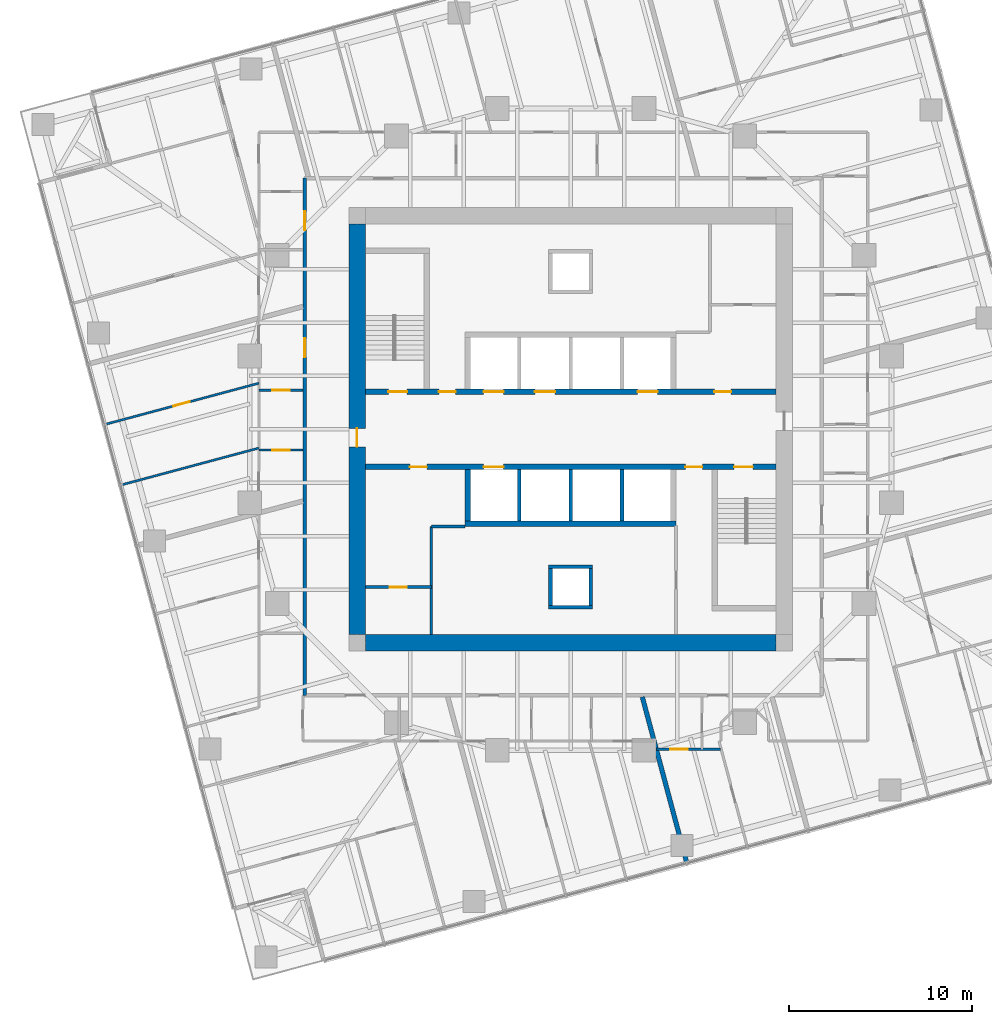
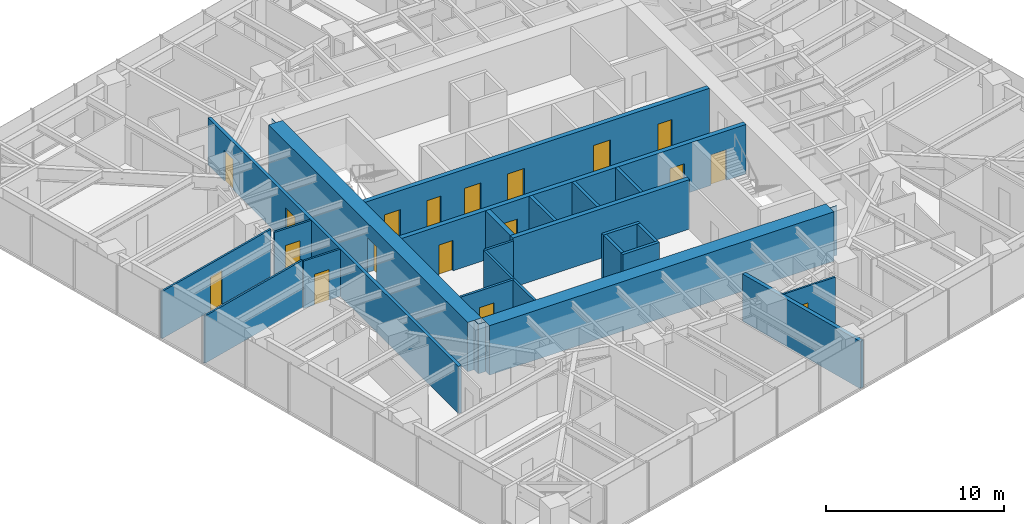
# One storey, part 9 of 14: 23 walls, 18 doors, 18 openings.
"""IFC4 building model written with IfcOpenShell, lengths in metres."""

from ifc_helpers import new_model, si_unit, direction, frame, frame_2d, origin, place, context, subcontext, project, spatial, polyline, rectangle, outline, extrude, material, layer, layer_set, type_object, element, fill, save


model = new_model("IFC4")

# Units and contexts
model_context = context("Model", 3, precision=1e-05, world=origin(), true_north=direction((0.0, 1.0)))
body_context = subcontext(model_context, "Body", "Model", "MODEL_VIEW")
ifc_project = project(units=[si_unit("LENGTHUNIT", "METRE"), si_unit("AREAUNIT", "SQUARE_METRE"), si_unit("VOLUMEUNIT", "CUBIC_METRE"), si_unit("PLANEANGLEUNIT", "RADIAN"), si_unit("MASSUNIT", "GRAM", prefix="KILO")], contexts=[model_context])

# Site, building, storey
site_placement = place(None, origin())
site = spatial("IfcSite", under=ifc_project, at=site_placement, CompositionType="ELEMENT")
building_placement = place(site_placement, origin())
building = spatial("IfcBuilding", under=site, at=building_placement, Name="Torsade Residences", CompositionType="ELEMENT")
storey_placement = place(building_placement, frame((0.0, 0.0, 128.60009765625)))
storey = spatial("IfcBuildingStorey", under=building, at=storey_placement, Name="L35", CompositionType="ELEMENT", Elevation=128.60009765625)

# Wall, openings, doors
ifc_material_1 = material(Name="Concrete 80 MPa", Category="concrete")
ifc_layer_1 = layer(ifc_material_1, 0.300048828125)
ifc_layer_set_1 = layer_set([ifc_layer_1], Name="Concrete 80 MPa")
wall_type_1 = type_object("IfcWallType", Name="CORE INTERNAL WALL 300", PredefinedType="SHEAR", material=ifc_layer_set_1)
wall_1_placement = place(storey_placement, frame((28.800048828125, 32.050048828125, 0.0), z_axis=(0.0, 0.0, 1.0), x_axis=(1.0, 0.0, 0.0)))
wall_1 = element("IfcWall", 1, at=wall_1_placement, inside=storey, type_object=wall_type_1, Name="Core wall LN L35", PredefinedType="SHEAR", context=body_context, shape_type="SweptSolid", body=[
    extrude(rectangle(XDim=22.39990234375, YDim=0.300048828125, at=frame_2d((11.199951171875, 0.0))), origin(), (0.0, 0.0, 1.0), 3.39990234375),
])
opening_1_placement = place(wall_1_placement, frame((19.0400390625, 0.0, 0.0)))
opening_1 = element("IfcOpeningElement", 2, at=opening_1_placement, cuts=wall_1, Name="Opening D06", PredefinedType="OPENING", context=body_context, shape_type="SweptSolid", body=[
    extrude(rectangle(XDim=0.919921875, YDim=2.10009765625, at=frame_2d((0.4599609375, 1.050048828125))), frame((0.0, 0.159912109375, 0.0), z_axis=(0.0, -1.0, 0.0), x_axis=(1.0, 0.0, 0.0)), (0.0, 0.0, 1.0), 0.320068359375),
])
opening_2_placement = place(wall_1_placement, frame((1.264892578125, 0.0, 0.0)))
opening_2 = element("IfcOpeningElement", 3, at=opening_2_placement, cuts=wall_1, Name="Opening D03", PredefinedType="OPENING", context=body_context, shape_type="SweptSolid", body=[
    extrude(rectangle(XDim=1.02001953125, YDim=2.10009765625, at=frame_2d((0.510009765625, 1.050048828125))), frame((0.0, 0.159912109375, 0.0), z_axis=(0.0, -1.0, 0.0), x_axis=(1.0, 0.0, 0.0)), (0.0, 0.0, 1.0), 0.320068359375),
])
opening_3_placement = place(wall_1_placement, frame((4.014892578125, 0.0, 0.0)))
opening_3 = element("IfcOpeningElement", 4, at=opening_3_placement, cuts=wall_1, Name="Opening D06", PredefinedType="OPENING", context=body_context, shape_type="SweptSolid", body=[
    extrude(rectangle(XDim=0.919921875, YDim=2.10009765625, at=frame_2d((0.4599609375, 1.050048828125))), frame((0.0, 0.159912109375, 0.0), z_axis=(0.0, -1.0, 0.0), x_axis=(1.0, 0.0, 0.0)), (0.0, 0.0, 1.0), 0.320068359375),
])
opening_4_placement = place(wall_1_placement, frame((6.449951171875, 0.0, 0.0)))
opening_4 = element("IfcOpeningElement", 5, at=opening_4_placement, cuts=wall_1, Name="Opening LD", PredefinedType="OPENING", context=body_context, shape_type="SweptSolid", body=[
    extrude(rectangle(XDim=1.10009765625, YDim=2.10009765625, at=frame_2d((0.550048828125, 1.050048828125))), frame((0.0, 0.159912109375, 0.0), z_axis=(0.0, -1.0, 0.0), x_axis=(1.0, 0.0, 0.0)), (0.0, 0.0, 1.0), 0.320068359375),
])
opening_5_placement = place(wall_1_placement, frame((9.25, 0.0, 0.0)))
opening_5 = element("IfcOpeningElement", 6, at=opening_5_placement, cuts=wall_1, Name="Opening LD", PredefinedType="OPENING", context=body_context, shape_type="SweptSolid", body=[
    extrude(rectangle(XDim=1.10009765625, YDim=2.10009765625, at=frame_2d((0.550048828125, 1.050048828125))), frame((0.0, 0.159912109375, 0.0), z_axis=(0.0, -1.0, 0.0), x_axis=(1.0, 0.0, 0.0)), (0.0, 0.0, 1.0), 0.320068359375),
])
opening_6_placement = place(wall_1_placement, frame((14.85009765625, 0.0, 0.0)))
opening_6 = element("IfcOpeningElement", 7, at=opening_6_placement, cuts=wall_1, Name="Opening LD", PredefinedType="OPENING", context=body_context, shape_type="SweptSolid", body=[
    extrude(rectangle(XDim=1.10009765625, YDim=2.10009765625, at=frame_2d((0.550048828125, 1.050048828125))), frame((0.0, 0.159912109375, 0.0), z_axis=(0.0, -1.0, 0.0), x_axis=(1.0, 0.0, 0.0)), (0.0, 0.0, 1.0), 0.320068359375),
])
ifc_material_2 = material(Name="Steel-framed fire door", Category="steel")
door_type_1 = type_object("IfcDoorType", Name="FIRE DOOR 1020", OperationType="NOTDEFINED", PredefinedType="DOOR", material=ifc_material_2)
door_1_placement = place(opening_2_placement, origin())
door_1 = element("IfcDoor", 8, at=door_1_placement, inside=storey, type_object=door_type_1, Name="Exit door to fire-isolated stair ST1 L35", OperationType="SINGLE_SWING_RIGHT", OverallHeight=2.10009765625, OverallWidth=1.02001953125, PredefinedType="DOOR", context=body_context, shape_type="SweptSolid", body=[
    extrude(rectangle(XDim=1.02001953125, YDim=2.10009765625, at=frame_2d((0.510009765625, 1.050048828125))), frame((0.0, 0.02490234375, 0.0), z_axis=(0.0, -1.0, 0.0), x_axis=(1.0, 0.0, 0.0)), (0.0, 0.0, 1.0), 0.050048828125),
])
fill(opening_2, door_1)
ifc_material_3 = material(Name="Steel-framed fire door", Category="steel")
door_type_2 = type_object("IfcDoorType", Name="FIRE DOOR 920", OperationType="NOTDEFINED", PredefinedType="DOOR", material=ifc_material_3)
door_2_placement = place(opening_1_placement, origin())
door_2 = element("IfcDoor", 9, at=door_2_placement, inside=storey, type_object=door_type_2, Name="Door Lift lobby to Refuse room", OperationType="SINGLE_SWING_LEFT", OverallHeight=2.10009765625, OverallWidth=0.919921875, PredefinedType="DOOR", context=body_context, shape_type="SweptSolid", body=[
    extrude(rectangle(XDim=0.919921875, YDim=2.10009765625, at=frame_2d((0.4599609375, 1.050048828125))), frame((0.0, 0.02490234375, 0.0), z_axis=(0.0, -1.0, 0.0), x_axis=(1.0, 0.0, 0.0)), (0.0, 0.0, 1.0), 0.050048828125),
])
fill(opening_1, door_2)
door_3_placement = place(opening_3_placement, origin())
door_3 = element("IfcDoor", 10, at=door_3_placement, inside=storey, type_object=door_type_2, Name="Door Lift lobby to Electrical riser room", OperationType="SINGLE_SWING_LEFT", OverallHeight=2.10009765625, OverallWidth=0.919921875, PredefinedType="DOOR", context=body_context, shape_type="SweptSolid", body=[
    extrude(rectangle(XDim=0.919921875, YDim=2.10009765625, at=frame_2d((0.4599609375, 1.050048828125))), frame((0.0, 0.02490234375, 0.0), z_axis=(0.0, -1.0, 0.0), x_axis=(1.0, 0.0, 0.0)), (0.0, 0.0, 1.0), 0.050048828125),
])
fill(opening_3, door_3)
ifc_material_4 = material(Name="Stainless steel lift landing door", Category="steel")
door_type_3 = type_object("IfcDoorType", Name="LIFT LANDING DOOR 1100", OperationType="SLIDING_TO_LEFT", PredefinedType="DOOR", material=ifc_material_4)
door_4_placement = place(opening_4_placement, origin())
door_4 = element("IfcDoor", 11, at=door_4_placement, inside=storey, type_object=door_type_3, Name="Lift LA1 landing door L35", OperationType="SLIDING_TO_LEFT", OverallHeight=2.10009765625, OverallWidth=1.10009765625, PredefinedType="DOOR", context=body_context, shape_type="SweptSolid", body=[
    extrude(rectangle(XDim=1.10009765625, YDim=2.10009765625, at=frame_2d((0.550048828125, 1.050048828125))), frame((0.0, 0.02490234375, 0.0), z_axis=(0.0, -1.0, 0.0), x_axis=(1.0, 0.0, 0.0)), (0.0, 0.0, 1.0), 0.050048828125),
])
fill(opening_4, door_4)
door_5_placement = place(opening_5_placement, origin())
door_5 = element("IfcDoor", 12, at=door_5_placement, inside=storey, type_object=door_type_3, Name="Lift LA2 landing door L35", OperationType="SLIDING_TO_LEFT", OverallHeight=2.10009765625, OverallWidth=1.10009765625, PredefinedType="DOOR", context=body_context, shape_type="SweptSolid", body=[
    extrude(rectangle(XDim=1.10009765625, YDim=2.10009765625, at=frame_2d((0.550048828125, 1.050048828125))), frame((0.0, 0.02490234375, 0.0), z_axis=(0.0, -1.0, 0.0), x_axis=(1.0, 0.0, 0.0)), (0.0, 0.0, 1.0), 0.050048828125),
])
fill(opening_5, door_5)
door_6_placement = place(opening_6_placement, origin())
door_6 = element("IfcDoor", 13, at=door_6_placement, inside=storey, type_object=door_type_3, Name="Lift FL1 landing door L35", OperationType="SLIDING_TO_LEFT", OverallHeight=2.10009765625, OverallWidth=1.10009765625, PredefinedType="DOOR", context=body_context, shape_type="SweptSolid", body=[
    extrude(rectangle(XDim=1.10009765625, YDim=2.10009765625, at=frame_2d((0.550048828125, 1.050048828125))), frame((0.0, 0.02490234375, 0.0), z_axis=(0.0, -1.0, 0.0), x_axis=(1.0, 0.0, 0.0)), (0.0, 0.0, 1.0), 0.050048828125),
])
fill(opening_6, door_6)

wall_2_placement = place(storey_placement, frame((51.199951171875, 27.949951171875, 0.0), z_axis=(0.0, 0.0, 1.0), x_axis=(-1.0, 0.0, 0.0)))
wall_2 = element("IfcWall", 14, at=wall_2_placement, inside=storey, type_object=wall_type_1, Name="Core wall LS L35", PredefinedType="SHEAR", context=body_context, shape_type="SweptSolid", body=[
    extrude(rectangle(XDim=22.39990234375, YDim=0.300048828125, at=frame_2d((11.199951171875, 0.0))), origin(), (0.0, 0.0, 1.0), 3.39990234375),
])
opening_7_placement = place(wall_2_placement, frame((19.0400390625, 0.0, 0.0)))
opening_7 = element("IfcOpeningElement", 15, at=opening_7_placement, cuts=wall_2, Name="Opening D06", PredefinedType="OPENING", context=body_context, shape_type="SweptSolid", body=[
    extrude(rectangle(XDim=0.919921875, YDim=2.10009765625, at=frame_2d((0.4599609375, 1.050048828125))), frame((0.0, 0.159912109375, 0.0), z_axis=(0.0, -1.0, 0.0), x_axis=(1.0, 0.0, 0.0)), (0.0, 0.0, 1.0), 0.320068359375),
])
opening_8_placement = place(wall_2_placement, frame((1.264892578125, 0.0, 0.0)))
opening_8 = element("IfcOpeningElement", 16, at=opening_8_placement, cuts=wall_2, Name="Opening D03", PredefinedType="OPENING", context=body_context, shape_type="SweptSolid", body=[
    extrude(rectangle(XDim=1.02001953125, YDim=2.10009765625, at=frame_2d((0.510009765625, 1.050048828125))), frame((0.0, 0.159912109375, 0.0), z_axis=(0.0, -1.0, 0.0), x_axis=(1.0, 0.0, 0.0)), (0.0, 0.0, 1.0), 0.320068359375),
])
opening_9_placement = place(wall_2_placement, frame((4.014892578125, 0.0, 0.0)))
opening_9 = element("IfcOpeningElement", 17, at=opening_9_placement, cuts=wall_2, Name="Opening D06", PredefinedType="OPENING", context=body_context, shape_type="SweptSolid", body=[
    extrude(rectangle(XDim=0.919921875, YDim=2.10009765625, at=frame_2d((0.4599609375, 1.050048828125))), frame((0.0, 0.159912109375, 0.0), z_axis=(0.0, -1.0, 0.0), x_axis=(1.0, 0.0, 0.0)), (0.0, 0.0, 1.0), 0.320068359375),
])
opening_10_placement = place(wall_2_placement, frame((14.85009765625, 0.0, 0.0)))
opening_10 = element("IfcOpeningElement", 18, at=opening_10_placement, cuts=wall_2, Name="Opening LD", PredefinedType="OPENING", context=body_context, shape_type="SweptSolid", body=[
    extrude(rectangle(XDim=1.10009765625, YDim=2.10009765625, at=frame_2d((0.550048828125, 1.050048828125))), frame((0.0, 0.159912109375, 0.0), z_axis=(0.0, -1.0, 0.0), x_axis=(1.0, 0.0, 0.0)), (0.0, 0.0, 1.0), 0.320068359375),
])
door_7_placement = place(opening_8_placement, origin())
door_7 = element("IfcDoor", 19, at=door_7_placement, inside=storey, type_object=door_type_1, Name="Exit door to fire-isolated stair ST2 L35", OperationType="SINGLE_SWING_RIGHT", OverallHeight=2.10009765625, OverallWidth=1.02001953125, PredefinedType="DOOR", context=body_context, shape_type="SweptSolid", body=[
    extrude(rectangle(XDim=1.02001953125, YDim=2.10009765625, at=frame_2d((0.510009765625, 1.050048828125))), frame((0.0, 0.02490234375, 0.0), z_axis=(0.0, -1.0, 0.0), x_axis=(1.0, 0.0, 0.0)), (0.0, 0.0, 1.0), 0.050048828125),
])
fill(opening_8, door_7)
door_8_placement = place(opening_7_placement, origin())
door_8 = element("IfcDoor", 20, at=door_8_placement, inside=storey, type_object=door_type_2, Name="Door Lift lobby to Cleaner store", OperationType="SINGLE_SWING_LEFT", OverallHeight=2.10009765625, OverallWidth=0.919921875, PredefinedType="DOOR", context=body_context, shape_type="SweptSolid", body=[
    extrude(rectangle(XDim=0.919921875, YDim=2.10009765625, at=frame_2d((0.4599609375, 1.050048828125))), frame((0.0, 0.02490234375, 0.0), z_axis=(0.0, -1.0, 0.0), x_axis=(1.0, 0.0, 0.0)), (0.0, 0.0, 1.0), 0.050048828125),
])
fill(opening_7, door_8)
door_9_placement = place(opening_9_placement, origin())
door_9 = element("IfcDoor", 21, at=door_9_placement, inside=storey, type_object=door_type_2, Name="Door Lift lobby to Security and data store", OperationType="SINGLE_SWING_RIGHT", OverallHeight=2.10009765625, OverallWidth=0.919921875, PredefinedType="DOOR", context=body_context, shape_type="SweptSolid", body=[
    extrude(rectangle(XDim=0.919921875, YDim=2.10009765625, at=frame_2d((0.4599609375, 1.050048828125))), frame((0.0, 0.02490234375, 0.0), z_axis=(0.0, -1.0, 0.0), x_axis=(1.0, 0.0, 0.0)), (0.0, 0.0, 1.0), 0.050048828125),
])
fill(opening_9, door_9)
door_10_placement = place(opening_10_placement, origin())
door_10 = element("IfcDoor", 22, at=door_10_placement, inside=storey, type_object=door_type_3, Name="Lift FL2 landing door L35", OperationType="SLIDING_TO_LEFT", OverallHeight=2.10009765625, OverallWidth=1.10009765625, PredefinedType="DOOR", context=body_context, shape_type="SweptSolid", body=[
    extrude(rectangle(XDim=1.10009765625, YDim=2.10009765625, at=frame_2d((0.550048828125, 1.050048828125))), frame((0.0, 0.02490234375, 0.0), z_axis=(0.0, -1.0, 0.0), x_axis=(1.0, 0.0, 0.0)), (0.0, 0.0, 1.0), 0.050048828125),
])
fill(opening_10, door_10)

# Walls
wall_3_placement = place(storey_placement, frame((45.75, 24.85009765625, 0.0), z_axis=(0.0, 0.0, 1.0), x_axis=(-1.0, 0.0, 0.0)))
element("IfcWall", 23, at=wall_3_placement, inside=storey, type_object=wall_type_1, Name="Core wall BS L35", PredefinedType="SHEAR", context=body_context, shape_type="SweptSolid", body=[
    extrude(rectangle(XDim=11.5, YDim=0.300048828125, at=frame_2d((5.75, 0.0))), origin(), (0.0, 0.0, 1.0), 3.39990234375),
])
wall_4_placement = place(storey_placement, frame((34.39990234375, 27.800048828125, 0.0), z_axis=(0.0, 0.0, 1.0), x_axis=(0.0, -1.0, 0.0)))
element("IfcWall", 24, at=wall_4_placement, inside=storey, type_object=wall_type_1, Name="Core wall DS4 L35", PredefinedType="SHEAR", context=body_context, shape_type="SweptSolid", body=[
    extrude(rectangle(XDim=2.800048828125, YDim=0.300048828125, at=frame_2d((1.39990234375, 0.0))), origin(), (0.0, 0.0, 1.0), 3.39990234375),
])
ifc_material_5 = material(Name="Concrete 80 MPa", Category="concrete")
ifc_layer_2 = layer(ifc_material_5, 0.89990234375)
ifc_layer_set_2 = layer_set([ifc_layer_2], Name="Concrete 80 MPa")
wall_type_2 = type_object("IfcWallType", Name="CORE WALL 900", PredefinedType="SHEAR", material=ifc_layer_set_2)
wall_5_placement = place(storey_placement, frame((51.199951171875, 18.35009765625, 0.0), z_axis=(0.0, 0.0, 1.0), x_axis=(-1.0, 0.0, 0.0)))
element("IfcWall", 25, at=wall_5_placement, inside=storey, type_object=wall_type_2, Name="Core wall S L35", PredefinedType="SHEAR", context=body_context, shape_type="SweptSolid", body=[
    extrude(outline(polyline([(0.0, -0.449951171875), (22.39990234375, -0.449951171875), (22.39990234375, -0.02490234375), (22.849853515625, -0.02490234375), (22.849853515625, 0.02490234375), (22.39990234375, 0.02490234375), (22.39990234375, 0.449951171875), (0.0, 0.449951171875), (0.0, 0.02490234375), (-0.449951171875, 0.02490234375), (-0.449951171875, -0.02490234375), (0.0, -0.02490234375), (0.0, -0.449951171875)])), origin(), (0.0, 0.0, 1.0), 3.39990234375),
])

# Wall, opening, door
wall_6_placement = place(storey_placement, frame((28.35009765625, 41.199951171875, 0.0), z_axis=(0.0, 0.0, 1.0), x_axis=(0.0, -1.0, 0.0)))
wall_6 = element("IfcWall", 26, at=wall_6_placement, inside=storey, type_object=wall_type_2, Name="Core wall W L35", PredefinedType="SHEAR", context=body_context, shape_type="SweptSolid", body=[
    extrude(outline(polyline([(0.0, -0.449951171875), (22.39990234375, -0.449951171875), (22.39990234375, -0.02490234375), (22.849853515625, -0.02490234375), (22.849853515625, 0.02490234375), (22.39990234375, 0.02490234375), (22.39990234375, 0.449951171875), (0.0, 0.449951171875), (0.0, 0.02490234375), (-0.449951171875, 0.02490234375), (-0.449951171875, -0.02490234375), (0.0, -0.02490234375), (0.0, -0.449951171875)])), origin(), (0.0, 0.0, 1.0), 3.39990234375),
])
opening_11_placement = place(wall_6_placement, frame((11.139892578125, 0.0, 0.0)))
opening_11 = element("IfcOpeningElement", 27, at=opening_11_placement, cuts=wall_6, Name="Opening D04", PredefinedType="OPENING", context=body_context, shape_type="SweptSolid", body=[
    extrude(rectangle(XDim=1.02001953125, YDim=2.39990234375, at=frame_2d((0.510009765625, 1.199951171875))), frame((0.0, 0.4599609375, 0.0), z_axis=(0.0, -1.0, 0.0), x_axis=(1.0, 0.0, 0.0)), (0.0, 0.0, 1.0), 0.919921875),
])
ifc_material_6 = material(Name="Steel-framed fire door", Category="steel")
door_type_4 = type_object("IfcDoorType", Name="LOBBY SMOKE DOOR 1020x2400", OperationType="NOTDEFINED", PredefinedType="DOOR", material=ifc_material_6)
door_11_placement = place(opening_11_placement, origin())
door_11 = element("IfcDoor", 28, at=door_11_placement, inside=storey, type_object=door_type_4, Name="Lift lobby door W L35", OperationType="SINGLE_SWING_RIGHT", OverallHeight=2.39990234375, OverallWidth=1.02001953125, PredefinedType="DOOR", context=body_context, shape_type="SweptSolid", body=[
    extrude(rectangle(XDim=1.02001953125, YDim=2.39990234375, at=frame_2d((0.510009765625, 1.199951171875))), frame((0.0, 0.02490234375, 0.0), z_axis=(0.0, -1.0, 0.0), x_axis=(1.0, 0.0, 0.0)), (0.0, 0.0, 1.0), 0.050048828125),
])
fill(opening_11, door_11)

# Wall, openings, doors
ifc_material_7 = material(Name="Plasterboard on steel stud", Category="steel")
ifc_layer_3 = layer(ifc_material_7, 0.199951171875)
ifc_layer_set_3 = layer_set([ifc_layer_3], Name="Plasterboard on steel stud")
wall_type_3 = type_object("IfcWallType", Name="CORRIDOR WALL 200", PredefinedType="PARTITIONING", material=ifc_layer_set_3)
wall_7_placement = place(storey_placement, frame((25.5, 43.699951171875, 0.0), z_axis=(0.0, 0.0, 1.0), x_axis=(0.0, -1.0, 0.0)))
wall_7 = element("IfcWall", 29, at=wall_7_placement, inside=storey, type_object=wall_type_3, Name="Corridor wall L35", PredefinedType="PARTITIONING", context=body_context, shape_type="SweptSolid", body=[
    extrude(rectangle(XDim=28.199951171875, YDim=0.199951171875, at=frame_2d((14.10009765625, 0.0))), origin(), (0.0, 0.0, 1.0), 3.25),
])
opening_12_placement = place(wall_7_placement, frame((8.7421875, 0.0, 0.0)))
opening_12 = element("IfcOpeningElement", 30, at=opening_12_placement, cuts=wall_7, Name="Opening D01", PredefinedType="OPENING", context=body_context, shape_type="SweptSolid", body=[
    extrude(rectangle(XDim=1.02001953125, YDim=2.340087890625, at=frame_2d((0.510009765625, 1.169921875))), frame((0.0, 0.10986328125, 0.0), z_axis=(0.0, -1.0, 0.0), x_axis=(1.0, 0.0, 0.0)), (0.0, 0.0, 1.0), 0.219970703125),
])
opening_13_placement = place(wall_7_placement, frame((1.808349609375, 0.0, 0.0)))
opening_13 = element("IfcOpeningElement", 31, at=opening_13_placement, cuts=wall_7, Name="Opening D01L", PredefinedType="OPENING", context=body_context, shape_type="SweptSolid", body=[
    extrude(rectangle(XDim=1.02001953125, YDim=2.10009765625, at=frame_2d((0.510009765625, 1.050048828125))), frame((0.0, 0.10986328125, 0.0), z_axis=(0.0, -1.0, 0.0), x_axis=(1.0, 0.0, 0.0)), (0.0, 0.0, 1.0), 0.219970703125),
])
ifc_material_8 = material(Name="Solid-core timber fire door", Category="wood")
door_type_5 = type_object("IfcDoorType", Name="APARTMENT ENTRY DOOR 1020x2100", OperationType="NOTDEFINED", PredefinedType="DOOR", material=ifc_material_8)
door_12_placement = place(opening_13_placement, origin())
door_12 = element("IfcDoor", 32, at=door_12_placement, inside=storey, type_object=door_type_5, Name="Door Residential corridor to Kitchen and dining", OperationType="SINGLE_SWING_LEFT", OverallHeight=2.10009765625, OverallWidth=1.02001953125, PredefinedType="DOOR", context=body_context, shape_type="SweptSolid", body=[
    extrude(rectangle(XDim=1.02001953125, YDim=2.10009765625, at=frame_2d((0.510009765625, 1.050048828125))), frame((0.0, 0.02490234375, 0.0), z_axis=(0.0, -1.0, 0.0), x_axis=(1.0, 0.0, 0.0)), (0.0, 0.0, 1.0), 0.050048828125),
])
fill(opening_13, door_12)
ifc_material_9 = material(Name="Solid-core timber fire door", Category="wood")
door_type_6 = type_object("IfcDoorType", Name="APARTMENT ENTRY DOOR 1020x2340", OperationType="NOTDEFINED", PredefinedType="DOOR", material=ifc_material_9)
door_13_placement = place(opening_12_placement, origin())
door_13 = element("IfcDoor", 33, at=door_13_placement, inside=storey, type_object=door_type_6, Name="Door Residential corridor to Kitchen and dining", OperationType="SINGLE_SWING_RIGHT", OverallHeight=2.340087890625, OverallWidth=1.02001953125, PredefinedType="DOOR", context=body_context, shape_type="SweptSolid", body=[
    extrude(rectangle(XDim=1.02001953125, YDim=2.340087890625, at=frame_2d((0.510009765625, 1.169921875))), frame((0.0, 0.02490234375, 0.0), z_axis=(0.0, -1.0, 0.0), x_axis=(1.0, 0.0, 0.0)), (0.0, 0.0, 1.0), 0.050048828125),
])
fill(opening_12, door_13)

# Walls
ifc_material_10 = material(Name="Reinforced blockwork", Category="masonry")
ifc_layer_4 = layer(ifc_material_10, 0.199951171875)
ifc_layer_set_4 = layer_set([ifc_layer_4], Name="Reinforced blockwork")
wall_type_4 = type_object("IfcWallType", Name="LIFT SHAFT DIVIDING WALL 200", PredefinedType="SOLIDWALL", material=ifc_layer_set_4)
for number, where, z_axis, x_axis, name in (
    (34, (42.800048828125, 27.800048828125, 0.0), (0.0, 0.0, 1.0), (0.0, -1.0, 0.0), "Core wall DS1 L35"),
    (35, (40.0, 27.800048828125, 0.0), (0.0, 0.0, 1.0), (0.0, -1.0, 0.0), "Core wall DS2 L35"),
    (36, (37.199951171875, 27.800048828125, 0.0), (0.0, 0.0, 1.0), (0.0, -1.0, 0.0), "Core wall DS3 L35"),
):
    element("IfcWall", number, at=place(storey_placement, frame(where, z_axis=z_axis, x_axis=x_axis)), inside=storey, type_object=wall_type_4, Name=name, PredefinedType="SOLIDWALL", context=body_context, shape_type="SweptSolid", body=[
        extrude(rectangle(XDim=2.800048828125, YDim=0.199951171875, at=frame_2d((1.39990234375, 0.0))), origin(), (0.0, 0.0, 1.0), 3.39990234375),
    ])

# Wall, opening, door
ifc_material_11 = material(Name="Plasterboard on steel stud", Category="steel")
ifc_layer_5 = layer(ifc_material_11, 0.1201171875)
ifc_layer_set_5 = layer_set([ifc_layer_5], Name="Plasterboard on steel stud")
wall_type_5 = type_object("IfcWallType", Name="PARTITION 120", PredefinedType="PARTITIONING", material=ifc_layer_set_5)
wall_8_placement = place(storey_placement, frame((48.1708984375, 12.550048828125, 0.0), z_axis=(0.0, 0.0, 1.0), x_axis=(-1.0, 0.0, 0.0)))
wall_8 = element("IfcWall", 37, at=wall_8_placement, inside=storey, type_object=wall_type_5, Name="Partition L35", PredefinedType="PARTITIONING", context=body_context, shape_type="SweptSolid", body=[
    extrude(rectangle(XDim=3.4951171875, YDim=0.1201171875, at=frame_2d((1.74755859375, 0.0))), origin(), (0.0, 0.0, 1.0), 3.25),
])
opening_14_placement = place(wall_8_placement, frame((1.76953125, 0.0, 0.0)))
opening_14 = element("IfcOpeningElement", 38, at=opening_14_placement, cuts=wall_8, Name="Opening D05", PredefinedType="OPENING", context=body_context, shape_type="SweptSolid", body=[
    extrude(rectangle(XDim=0.9599609375, YDim=2.10009765625, at=frame_2d((0.47998046875, 1.050048828125))), frame((0.0, 0.070068359375, 0.0), z_axis=(0.0, -1.0, 0.0), x_axis=(1.0, 0.0, 0.0)), (0.0, 0.0, 1.0), 0.14013671875),
])
ifc_material_12 = material(Name="Hollow-core timber door in a steel cavity frame", Category="steel")
door_type_7 = type_object("IfcDoorType", Name="BATHROOM CAVITY SLIDING DOOR 960", OperationType="SLIDING_TO_LEFT", PredefinedType="DOOR", material=ifc_material_12)
door_14_placement = place(opening_14_placement, origin())
door_14 = element("IfcDoor", 39, at=door_14_placement, inside=storey, type_object=door_type_7, Name="Door Bathroom to Living room", OperationType="SLIDING_TO_LEFT", OverallHeight=2.10009765625, OverallWidth=0.9599609375, PredefinedType="DOOR", context=body_context, shape_type="SweptSolid", body=[
    extrude(rectangle(XDim=0.9599609375, YDim=2.10009765625, at=frame_2d((0.47998046875, 1.050048828125))), frame((0.0, 0.02490234375, 0.0), z_axis=(0.0, -1.0, 0.0), x_axis=(1.0, 0.0, 0.0)), (0.0, 0.0, 1.0), 0.050048828125),
])
fill(opening_14, door_14)

wall_9_placement = place(storey_placement, frame((25.39990234375, 32.1337890625, 0.0), z_axis=(0.0, 0.0, 1.0), x_axis=(-1.0, 0.0, 0.0)))
wall_9 = element("IfcWall", 40, at=wall_9_placement, inside=storey, type_object=wall_type_5, Name="Partition L35", PredefinedType="PARTITIONING", context=body_context, shape_type="SweptSolid", body=[
    extrude(rectangle(XDim=2.39990234375, YDim=0.1201171875, at=frame_2d((1.199951171875, 0.0))), origin(), (0.0, 0.0, 1.0), 3.25),
])
opening_15_placement = place(wall_9_placement, frame((0.719970703125, 0.0, 0.0)))
opening_15 = element("IfcOpeningElement", 41, at=opening_15_placement, cuts=wall_9, Name="Opening D05", PredefinedType="OPENING", context=body_context, shape_type="SweptSolid", body=[
    extrude(rectangle(XDim=0.9599609375, YDim=2.10009765625, at=frame_2d((0.47998046875, 1.050048828125))), frame((0.0, 0.070068359375, 0.0), z_axis=(0.0, -1.0, 0.0), x_axis=(1.0, 0.0, 0.0)), (0.0, 0.0, 1.0), 0.14013671875),
])
door_15_placement = place(opening_15_placement, origin())
door_15 = element("IfcDoor", 42, at=door_15_placement, inside=storey, type_object=door_type_7, Name="Door Kitchen and dining to Bathroom", OperationType="SLIDING_TO_LEFT", OverallHeight=2.10009765625, OverallWidth=0.9599609375, PredefinedType="DOOR", context=body_context, shape_type="SweptSolid", body=[
    extrude(rectangle(XDim=0.9599609375, YDim=2.10009765625, at=frame_2d((0.47998046875, 1.050048828125))), frame((0.0, 0.02490234375, 0.0), z_axis=(0.0, -1.0, 0.0), x_axis=(1.0, 0.0, 0.0)), (0.0, 0.0, 1.0), 0.050048828125),
])
fill(opening_15, door_15)

wall_10_placement = place(storey_placement, frame((25.39990234375, 28.86767578125, 0.0), z_axis=(0.0, 0.0, 1.0), x_axis=(-1.0, 0.0, 0.0)))
wall_10 = element("IfcWall", 43, at=wall_10_placement, inside=storey, type_object=wall_type_5, Name="Partition L35", PredefinedType="PARTITIONING", context=body_context, shape_type="SweptSolid", body=[
    extrude(rectangle(XDim=2.39990234375, YDim=0.1201171875, at=frame_2d((1.199951171875, 0.0))), origin(), (0.0, 0.0, 1.0), 3.25),
])
opening_16_placement = place(wall_10_placement, frame((0.719970703125, 0.0, 0.0)))
opening_16 = element("IfcOpeningElement", 44, at=opening_16_placement, cuts=wall_10, Name="Opening D05", PredefinedType="OPENING", context=body_context, shape_type="SweptSolid", body=[
    extrude(rectangle(XDim=0.9599609375, YDim=2.10009765625, at=frame_2d((0.47998046875, 1.050048828125))), frame((0.0, 0.070068359375, 0.0), z_axis=(0.0, -1.0, 0.0), x_axis=(1.0, 0.0, 0.0)), (0.0, 0.0, 1.0), 0.14013671875),
])
door_16_placement = place(opening_16_placement, origin())
door_16 = element("IfcDoor", 45, at=door_16_placement, inside=storey, type_object=door_type_7, Name="Door Bathroom to Ensuite", OperationType="SLIDING_TO_LEFT", OverallHeight=2.10009765625, OverallWidth=0.9599609375, PredefinedType="DOOR", context=body_context, shape_type="SweptSolid", body=[
    extrude(rectangle(XDim=0.9599609375, YDim=2.10009765625, at=frame_2d((0.47998046875, 1.050048828125))), frame((0.0, 0.02490234375, 0.0), z_axis=(0.0, -1.0, 0.0), x_axis=(1.0, 0.0, 0.0)), (0.0, 0.0, 1.0), 0.050048828125),
])
fill(opening_16, door_16)

wall_11_placement = place(storey_placement, frame((23.0, 32.519287109375, 0.0), z_axis=(0.0, 0.0, 1.0), x_axis=(-0.965925607751, -0.258819860698, 0.0)))
wall_11 = element("IfcWall", 46, at=wall_11_placement, inside=storey, type_object=wall_type_5, Name="Partition L35", PredefinedType="PARTITIONING", context=body_context, shape_type="SweptSolid", body=[
    extrude(rectangle(XDim=8.69140625, YDim=0.1201171875, at=frame_2d((4.345703125, 0.0))), origin(), (0.0, 0.0, 1.0), 3.25),
])
opening_17_placement = place(wall_11_placement, frame((3.90576171875, 0.0, 0.0)))
opening_17 = element("IfcOpeningElement", 47, at=opening_17_placement, cuts=wall_11, Name="Opening D02", PredefinedType="OPENING", context=body_context, shape_type="SweptSolid", body=[
    extrude(rectangle(XDim=0.919921875, YDim=2.340087890625, at=frame_2d((0.4599609375, 1.169921875))), frame((0.0, 0.070068359375, 0.0), z_axis=(0.0, -1.0, 0.0), x_axis=(1.0, 0.0, 0.0)), (0.0, 0.0, 1.0), 0.14013671875),
])
ifc_material_13 = material(Name="Hollow-core timber door", Category="wood")
door_type_8 = type_object("IfcDoorType", Name="INTERNAL DOOR 920x2340", OperationType="NOTDEFINED", PredefinedType="DOOR", material=ifc_material_13)
door_17_placement = place(opening_17_placement, origin())
door_17 = element("IfcDoor", 48, at=door_17_placement, inside=storey, type_object=door_type_8, Name="Door Living room to Bedroom 1", OperationType="SINGLE_SWING_LEFT", OverallHeight=2.340087890625, OverallWidth=0.919921875, PredefinedType="DOOR", context=body_context, shape_type="SweptSolid", body=[
    extrude(rectangle(XDim=0.919921875, YDim=2.340087890625, at=frame_2d((0.4599609375, 1.169921875))), frame((0.0, 0.02490234375, 0.0), z_axis=(0.0, -1.0, 0.0), x_axis=(1.0, 0.0, 0.0)), (0.0, 0.0, 1.0), 0.050048828125),
])
fill(opening_17, door_17)

# Walls
wall_12_placement = place(storey_placement, frame((23.0, 28.98193359375, 0.0), z_axis=(0.0, 0.0, 1.0), x_axis=(-0.965927309482, -0.258813509689, 0.0)))
element("IfcWall", 49, at=wall_12_placement, inside=storey, type_object=wall_type_5, Name="Partition L35", PredefinedType="PARTITIONING", context=body_context, shape_type="SweptSolid", body=[
    extrude(rectangle(XDim=7.775634765625, YDim=0.1201171875, at=frame_2d((3.8876953125, 0.0))), origin(), (0.0, 0.0, 1.0), 3.25),
])
ifc_material_14 = material(Name="Masonry-lined stud party wall", Category="masonry")
ifc_layer_6 = layer(ifc_material_14, 0.25)
ifc_layer_set_6 = layer_set([ifc_layer_6], Name="Masonry-lined stud party wall")
wall_type_6 = type_object("IfcWallType", Name="PARTY WALL 250", PredefinedType="PARTITIONING", material=ifc_layer_set_6)
wall_13_placement = place(storey_placement, frame((46.341064453125, 6.334716796875, 0.0), z_axis=(0.0, 0.0, 1.0), x_axis=(-0.258814481793, 0.965927049013, 0.0)))
element("IfcWall", 50, at=wall_13_placement, inside=storey, type_object=wall_type_6, Name="Party wall L35", PredefinedType="PARTITIONING", context=body_context, shape_type="SweptSolid", body=[
    extrude(rectangle(XDim=9.3916015625, YDim=0.25, at=frame_2d((4.69580078125, 0.0))), origin(), (0.0, 0.0, 1.0), 3.25),
])
ifc_material_15 = material(Name="Reinforced blockwork", Category="masonry")
ifc_layer_7 = layer(ifc_material_15, 0.199951171875)
ifc_layer_set_7 = layer_set([ifc_layer_7], Name="Reinforced blockwork")
wall_type_7 = type_object("IfcWallType", Name="RISER SHAFT WALL 200", PredefinedType="SOLIDWALL", material=ifc_layer_set_7)
for number, where, z_axis, x_axis, name in (
    (51, (38.89990234375, 22.39990234375, 0.0), (0.0, 0.0, 1.0), (0.0, -1.0, 0.0), "Core wall RS2a L35"),
    (52, (41.10009765625, 22.39990234375, 0.0), (0.0, 0.0, 1.0), (0.0, -1.0, 0.0), "Core wall RS2b L35"),
):
    element("IfcWall", number, at=place(storey_placement, frame(where, z_axis=z_axis, x_axis=x_axis)), inside=storey, type_object=wall_type_7, Name=name, PredefinedType="SOLIDWALL", context=body_context, shape_type="SweptSolid", body=[
        extrude(rectangle(XDim=2.0, YDim=0.199951171875, at=frame_2d((1.0, 0.0))), origin(), (0.0, 0.0, 1.0), 3.39990234375),
    ])
for number, where, z_axis, x_axis, name in (
    (53, (38.800048828125, 22.5, 0.0), (0.0, 0.0, 1.0), (1.0, 0.0, 0.0), "Core wall RS2c L35"),
    (54, (38.800048828125, 20.300048828125, 0.0), (0.0, 0.0, 1.0), (1.0, 0.0, 0.0), "Core wall RS2d L35"),
):
    element("IfcWall", number, at=place(storey_placement, frame(where, z_axis=z_axis, x_axis=x_axis)), inside=storey, type_object=wall_type_7, Name=name, PredefinedType="SOLIDWALL", context=body_context, shape_type="SweptSolid", body=[
        extrude(rectangle(XDim=2.39990234375, YDim=0.199951171875, at=frame_2d((1.199951171875, 0.0))), origin(), (0.0, 0.0, 1.0), 3.39990234375),
    ])
ifc_material_16 = material(Name="Reinforced blockwork", Category="masonry")
ifc_layer_8 = layer(ifc_material_16, 0.14990234375)
ifc_layer_set_8 = layer_set([ifc_layer_8], Name="Reinforced blockwork")
wall_type_8 = type_object("IfcWallType", Name="SERVICE ROOM WALL 150", PredefinedType="SOLIDWALL", material=ifc_layer_set_8)
wall_14_placement = place(storey_placement, frame((32.39990234375, 18.800048828125, 0.0), z_axis=(0.0, 0.0, 1.0), x_axis=(0.0, 1.0, 0.0)))
element("IfcWall", 55, at=wall_14_placement, inside=storey, type_object=wall_type_8, Name="Service room wall L35", PredefinedType="SOLIDWALL", context=body_context, shape_type="SweptSolid", body=[
    extrude(rectangle(XDim=5.89990234375, YDim=0.14990234375, at=frame_2d((2.949951171875, 0.0))), origin(), (0.0, 0.0, 1.0), 3.25),
])
wall_15_placement = place(storey_placement, frame((32.39990234375, 24.699951171875, 0.0), z_axis=(0.0, 0.0, 1.0), x_axis=(1.0, 0.0, 0.0)))
element("IfcWall", 56, at=wall_15_placement, inside=storey, type_object=wall_type_8, Name="Service room wall L35", PredefinedType="SOLIDWALL", context=body_context, shape_type="SweptSolid", body=[
    extrude(rectangle(XDim=1.85009765625, YDim=0.14990234375, at=frame_2d((0.925048828125, 0.0))), origin(), (0.0, 0.0, 1.0), 3.25),
])

# Wall, opening, door
wall_16_placement = place(storey_placement, frame((32.39990234375, 21.39990234375, 0.0), z_axis=(0.0, 0.0, 1.0), x_axis=(-1.0, 0.0, 0.0)))
wall_16 = element("IfcWall", 57, at=wall_16_placement, inside=storey, type_object=wall_type_8, Name="Service room wall L35", PredefinedType="SOLIDWALL", context=body_context, shape_type="SweptSolid", body=[
    extrude(rectangle(XDim=3.599853515625, YDim=0.14990234375, at=frame_2d((1.7998046875, 0.0))), origin(), (0.0, 0.0, 1.0), 3.25),
])
opening_18_placement = place(wall_16_placement, frame((1.340087890625, 0.0, 0.0)))
opening_18 = element("IfcOpeningElement", 58, at=opening_18_placement, cuts=wall_16, Name="Opening D06", PredefinedType="OPENING", context=body_context, shape_type="SweptSolid", body=[
    extrude(rectangle(XDim=0.919921875, YDim=2.10009765625, at=frame_2d((0.4599609375, 1.050048828125))), frame((0.0, 0.0849609375, 0.0), z_axis=(0.0, -1.0, 0.0), x_axis=(1.0, 0.0, 0.0)), (0.0, 0.0, 1.0), 0.169921875),
])
door_18_placement = place(opening_18_placement, origin())
door_18 = element("IfcDoor", 59, at=door_18_placement, inside=storey, type_object=door_type_2, Name="Door Cleaner store to Building store", OperationType="SINGLE_SWING_LEFT", OverallHeight=2.10009765625, OverallWidth=0.919921875, PredefinedType="DOOR", context=body_context, shape_type="SweptSolid", body=[
    extrude(rectangle(XDim=0.919921875, YDim=2.10009765625, at=frame_2d((0.4599609375, 1.050048828125))), frame((0.0, 0.02490234375, 0.0), z_axis=(0.0, -1.0, 0.0), x_axis=(1.0, 0.0, 0.0)), (0.0, 0.0, 1.0), 0.050048828125),
])
fill(opening_18, door_18)

save(model, "model.ifc")
